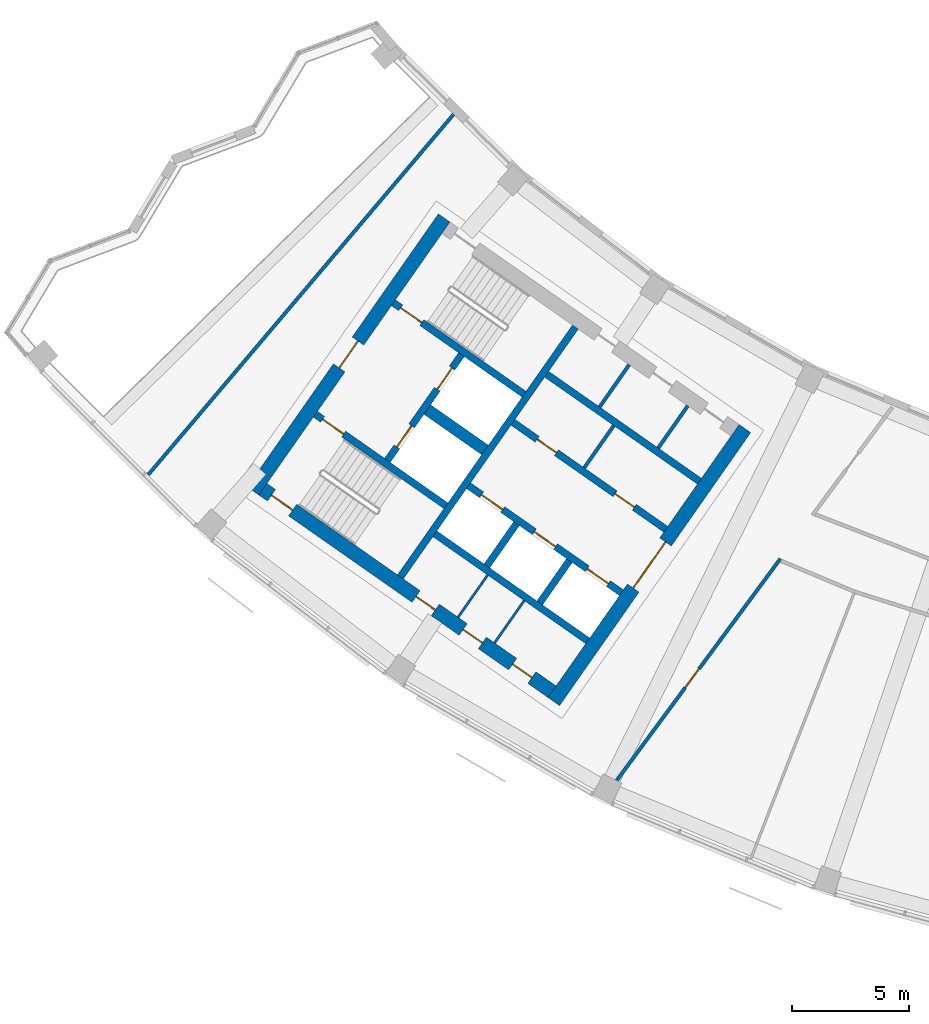
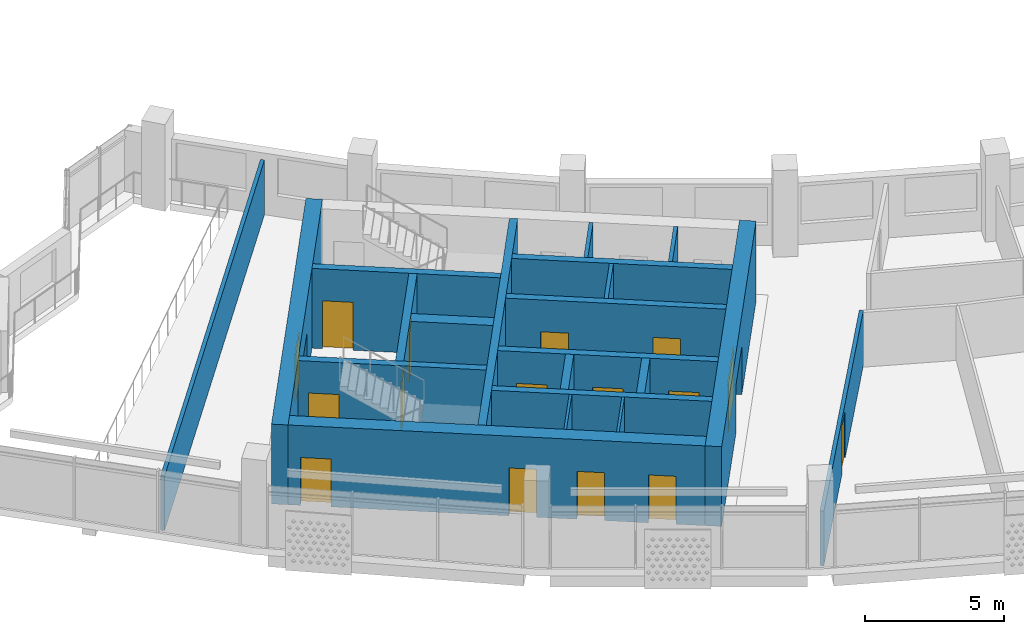
# One storey, part 3 of 29: 21 walls, 16 doors, 16 openings.
"""IFC4 building model written with IfcOpenShell, lengths in metres."""

from ifc_helpers import new_model, si_unit, direction, frame, frame_2d, origin, place, context, subcontext, project, spatial, rectangle, extrude, material, layer, layer_set, type_object, element, fill, save


model = new_model("IFC4")

# Units and contexts
model_context = context("Model", 3, precision=1e-05, world=origin(), true_north=direction((0.0, 1.0)))
body_context = subcontext(model_context, "Body", "Model", "MODEL_VIEW")
ifc_project = project(units=[si_unit("LENGTHUNIT", "METRE"), si_unit("AREAUNIT", "SQUARE_METRE"), si_unit("VOLUMEUNIT", "CUBIC_METRE"), si_unit("PLANEANGLEUNIT", "RADIAN"), si_unit("MASSUNIT", "GRAM", prefix="KILO")], contexts=[model_context])

# Site, building, storey
site_placement = place(None, origin())
site = spatial("IfcSite", under=ifc_project, at=site_placement, CompositionType="ELEMENT")
building_placement = place(site_placement, origin())
building = spatial("IfcBuilding", under=site, at=building_placement, Name="Qamariyya Broadcast Tower", CompositionType="ELEMENT")
storey_placement = place(building_placement, frame((0.0, 0.0, 261.89990234375)))
storey = spatial("IfcBuildingStorey", under=building, at=storey_placement, Name="L63", CompositionType="ELEMENT", Elevation=261.89990234375)

# Wall, opening, door
ifc_material_1 = material(Name="Concrete C60/75", Category="concrete")
ifc_layer_1 = layer(ifc_material_1, 0.60009765625)
ifc_layer_set_1 = layer_set([ifc_layer_1], Name="Core wall 600 mm Concrete C60/75")
wall_type_1 = type_object("IfcWallType", Name="Core wall 600 mm Concrete C60/75", PredefinedType="SHEAR", material=ifc_layer_set_1)
wall_1_placement = place(storey_placement, frame((-36.66748046875, -66.005126953125, 0.0), z_axis=(0.0, 0.0, 1.0), x_axis=(0.573568499524, 0.819157601658, 0.0)))
wall_1 = element("IfcWall", 1, at=wall_1_placement, inside=storey, type_object=wall_type_1, Name="k-W-L63-WA", PredefinedType="SHEAR", context=body_context, shape_type="SweptSolid", body=[
    extrude(rectangle(XDim=14.19970703125, YDim=0.60009765625, at=frame_2d((7.099853515625, 0.0))), origin(), (0.0, 0.0, 1.0), 3.5),
])
opening_1_placement = place(wall_1_placement, frame((5.89990234375, 0.0, 0.0)))
opening_1 = element("IfcOpeningElement", 2, at=opening_1_placement, cuts=wall_1, Name="Opening KD3-W1", PredefinedType="OPENING", context=body_context, shape_type="SweptSolid", body=[
    extrude(rectangle(XDim=2.39990234375, YDim=2.10009765625, at=frame_2d((1.199951171875, 1.050048828125))), frame((0.0, 0.31005859375, 0.0), z_axis=(0.0, -1.0, 0.0), x_axis=(1.0, 0.0, 0.0)), (0.0, 0.0, 1.0), 0.6201171875),
])
ifc_material_2 = material(Name="Steel fire-resisting door leaf", Category="steel")
door_type_1 = type_object("IfcDoorType", Name="Lift lobby door KD3", OperationType="DOUBLE_DOOR_SINGLE_SWING", PredefinedType="DOOR", material=ifc_material_2)
door_1_placement = place(opening_1_placement, origin())
door_1 = element("IfcDoor", 3, at=door_1_placement, inside=storey, type_object=door_type_1, Name="k-W-L63-WA-D1", OperationType="DOUBLE_DOOR_SINGLE_SWING", OverallHeight=2.10009765625, OverallWidth=2.39990234375, PredefinedType="DOOR", context=body_context, shape_type="SweptSolid", body=[
    extrude(rectangle(XDim=2.39990234375, YDim=2.10009765625, at=frame_2d((1.199951171875, 1.050048828125))), frame((0.0, 0.02490234375, 0.0), z_axis=(0.0, -1.0, 0.0), x_axis=(1.0, 0.0, 0.0)), (0.0, 0.0, 1.0), 0.050048828125),
])
fill(opening_1, door_1)

wall_2_placement = place(storey_placement, frame((-49.4833984375, -57.031494140625, 0.0), z_axis=(0.0, 0.0, 1.0), x_axis=(0.573560421458, 0.819163257805, 0.0)))
wall_2 = element("IfcWall", 4, at=wall_2_placement, inside=storey, type_object=wall_type_1, Name="k-W-L63-WH", PredefinedType="SHEAR", context=body_context, shape_type="SweptSolid", body=[
    extrude(rectangle(XDim=14.199951171875, YDim=0.60009765625, at=frame_2d((7.10009765625, 0.0))), origin(), (0.0, 0.0, 1.0), 3.5),
])
opening_2_placement = place(wall_2_placement, frame((6.39990234375, 0.0, 0.0)))
opening_2 = element("IfcOpeningElement", 5, at=opening_2_placement, cuts=wall_2, Name="Opening KD2-W1", PredefinedType="OPENING", context=body_context, shape_type="SweptSolid", body=[
    extrude(rectangle(XDim=1.39990234375, YDim=2.10009765625, at=frame_2d((0.699951171875, 1.050048828125))), frame((0.0, 0.31005859375, 0.0), z_axis=(0.0, -1.0, 0.0), x_axis=(1.0, 0.0, 0.0)), (0.0, 0.0, 1.0), 0.6201171875),
])
door_type_2 = type_object("IfcDoorType", Name="Fire-fighting lobby door KD2", OperationType="DOUBLE_DOOR_SINGLE_SWING", PredefinedType="DOOR", material=ifc_material_2)
door_2_placement = place(opening_2_placement, origin())
door_2 = element("IfcDoor", 6, at=door_2_placement, inside=storey, type_object=door_type_2, Name="k-W-L63-WH-D15", OperationType="DOUBLE_DOOR_SINGLE_SWING", OverallHeight=2.10009765625, OverallWidth=1.39990234375, PredefinedType="DOOR", context=body_context, shape_type="SweptSolid", body=[
    extrude(rectangle(XDim=1.39990234375, YDim=2.10009765625, at=frame_2d((0.699951171875, 1.050048828125))), frame((0.0, 0.02490234375, 0.0), z_axis=(0.0, -1.0, 0.0), x_axis=(1.0, 0.0, 0.0)), (0.0, 0.0, 1.0), 0.050048828125),
])
fill(opening_2, door_2)

# Wall, openings, doors
wall_3_placement = place(storey_placement, frame((-36.7412109375, -65.58740234375, 0.0), z_axis=(0.0, 0.0, 1.0), x_axis=(-0.819153391756, 0.573574511963, 0.0)))
wall_3 = element("IfcWall", 7, at=wall_3_placement, inside=storey, type_object=wall_type_1, Name="k-W-L63-WO", PredefinedType="SHEAR", context=body_context, shape_type="SweptSolid", body=[
    extrude(rectangle(XDim=15.04541015625, YDim=0.60009765625, at=frame_2d((7.522705078125, 0.0))), origin(), (0.0, 0.0, 1.0), 3.5),
])
opening_3_placement = place(wall_3_placement, frame((1.050048828125, 0.0, 0.0)))
opening_3 = element("IfcOpeningElement", 8, at=opening_3_placement, cuts=wall_3, Name="Opening KD4-W1", PredefinedType="OPENING", context=body_context, shape_type="SweptSolid", body=[
    extrude(rectangle(XDim=1.0, YDim=2.10009765625, at=frame_2d((0.5, 1.050048828125))), frame((0.0, 0.31005859375, 0.0), z_axis=(0.0, -1.0, 0.0), x_axis=(1.0, 0.0, 0.0)), (0.0, 0.0, 1.0), 0.6201171875),
])
opening_4_placement = place(wall_3_placement, frame((3.625, 0.0, 0.0)))
opening_4 = element("IfcOpeningElement", 9, at=opening_4_placement, cuts=wall_3, Name="Opening KD4-W2", PredefinedType="OPENING", context=body_context, shape_type="SweptSolid", body=[
    extrude(rectangle(XDim=1.0, YDim=2.10009765625, at=frame_2d((0.5, 1.050048828125))), frame((0.0, 0.31005859375, 0.0), z_axis=(0.0, -1.0, 0.0), x_axis=(1.0, 0.0, 0.0)), (0.0, 0.0, 1.0), 0.6201171875),
])
opening_5_placement = place(wall_3_placement, frame((6.074951171875, 0.0, 0.0)))
opening_5 = element("IfcOpeningElement", 10, at=opening_5_placement, cuts=wall_3, Name="Opening KD6-W4", PredefinedType="OPENING", context=body_context, shape_type="SweptSolid", body=[
    extrude(rectangle(XDim=1.0, YDim=2.10009765625, at=frame_2d((0.5, 1.050048828125))), frame((0.0, 0.31005859375, 0.0), z_axis=(0.0, -1.0, 0.0), x_axis=(1.0, 0.0, 0.0)), (0.0, 0.0, 1.0), 0.6201171875),
])
opening_6_placement = place(wall_3_placement, frame((13.495361328125, 0.0, 0.0)))
opening_6 = element("IfcOpeningElement", 11, at=opening_6_placement, cuts=wall_3, Name="Opening KD1-W3", PredefinedType="OPENING", context=body_context, shape_type="SweptSolid", body=[
    extrude(rectangle(XDim=1.10009765625, YDim=2.10009765625, at=frame_2d((0.550048828125, 1.050048828125))), frame((0.0, 0.31005859375, 0.0), z_axis=(0.0, -1.0, 0.0), x_axis=(1.0, 0.0, 0.0)), (0.0, 0.0, 1.0), 0.6201171875),
])
door_type_3 = type_object("IfcDoorType", Name="Core room door KD6", OperationType="SINGLE_SWING_LEFT", PredefinedType="DOOR", material=ifc_material_2)
door_3_placement = place(opening_5_placement, origin())
door_3 = element("IfcDoor", 12, at=door_3_placement, inside=storey, type_object=door_type_3, Name="k-W-L63-WO-D12", OperationType="SINGLE_SWING_LEFT", OverallHeight=2.10009765625, OverallWidth=1.0, PredefinedType="DOOR", context=body_context, shape_type="SweptSolid", body=[
    extrude(rectangle(XDim=1.0, YDim=2.10009765625, at=frame_2d((0.5, 1.050048828125))), frame((0.0, 0.02490234375, 0.0), z_axis=(0.0, -1.0, 0.0), x_axis=(1.0, 0.0, 0.0)), (0.0, 0.0, 1.0), 0.050048828125),
])
fill(opening_5, door_3)
door_type_4 = type_object("IfcDoorType", Name="Riser and plant door KD4", OperationType="SINGLE_SWING_LEFT", PredefinedType="DOOR", material=ifc_material_2)
door_4_placement = place(opening_3_placement, origin())
door_4 = element("IfcDoor", 13, at=door_4_placement, inside=storey, type_object=door_type_4, Name="k-W-L63-WO-D10", OperationType="SINGLE_SWING_LEFT", OverallHeight=2.10009765625, OverallWidth=1.0, PredefinedType="DOOR", context=body_context, shape_type="SweptSolid", body=[
    extrude(rectangle(XDim=1.0, YDim=2.10009765625, at=frame_2d((0.5, 1.050048828125))), frame((0.0, 0.02490234375, 0.0), z_axis=(0.0, -1.0, 0.0), x_axis=(1.0, 0.0, 0.0)), (0.0, 0.0, 1.0), 0.050048828125),
])
fill(opening_3, door_4)
door_5_placement = place(opening_4_placement, origin())
door_5 = element("IfcDoor", 14, at=door_5_placement, inside=storey, type_object=door_type_4, Name="k-W-L63-WO-D11", OperationType="SINGLE_SWING_RIGHT", OverallHeight=2.10009765625, OverallWidth=1.0, PredefinedType="DOOR", context=body_context, shape_type="SweptSolid", body=[
    extrude(rectangle(XDim=1.0, YDim=2.10009765625, at=frame_2d((0.5, 1.050048828125))), frame((0.0, 0.02490234375, 0.0), z_axis=(0.0, -1.0, 0.0), x_axis=(1.0, 0.0, 0.0)), (0.0, 0.0, 1.0), 0.050048828125),
])
fill(opening_4, door_5)
door_type_5 = type_object("IfcDoorType", Name="Stair door KD1", OperationType="SINGLE_SWING_LEFT", PredefinedType="DOOR", material=ifc_material_2)
door_6_placement = place(opening_6_placement, origin())
door_6 = element("IfcDoor", 15, at=door_6_placement, inside=storey, type_object=door_type_5, Name="k-W-L63-WO-D18", OperationType="SINGLE_SWING_LEFT", OverallHeight=2.10009765625, OverallWidth=1.10009765625, PredefinedType="DOOR", context=body_context, shape_type="SweptSolid", body=[
    extrude(rectangle(XDim=1.10009765625, YDim=2.10009765625, at=frame_2d((0.550048828125, 1.050048828125))), frame((0.0, 0.02490234375, 0.0), z_axis=(0.0, -1.0, 0.0), x_axis=(1.0, 0.0, 0.0)), (0.0, 0.0, 1.0), 0.050048828125),
])
fill(opening_6, door_6)

# Wall
ifc_material_3 = material(Name="Gypsum board partition")
ifc_layer_2 = layer(ifc_material_3, 0.14990234375)
ifc_layer_set_2 = layer_set([ifc_layer_2], Name="Corridor partition 150 EI 60")
wall_type_2 = type_object("IfcWallType", Name="Corridor partition 150 EI 60", PredefinedType="PARTITIONING", material=ifc_layer_set_2)
wall_4_placement = place(storey_placement, frame((-40.93603515625, -40.982666015625, 0.0), z_axis=(0.0, 0.0, 1.0), x_axis=(-0.646426079671, -0.76297662056, 0.0)))
element("IfcWall", 16, at=wall_4_placement, inside=storey, type_object=wall_type_2, Name="Partition L63-001", PredefinedType="PARTITIONING", context=body_context, shape_type="SweptSolid", body=[
    extrude(rectangle(XDim=20.1259765625, YDim=0.14990234375, at=frame_2d((10.06298828125, 0.0))), origin(), (0.0, 0.0, 1.0), 2.400146484375),
])

# Wall, opening, door
wall_5_placement = place(storey_placement, frame((-27.012939453125, -59.919189453125, 0.0), z_axis=(0.0, 0.0, 1.0), x_axis=(-0.593869528805, -0.804561360467, 0.0)))
wall_5 = element("IfcWall", 17, at=wall_5_placement, inside=storey, type_object=wall_type_2, Name="Partition L63-003", PredefinedType="PARTITIONING", context=body_context, shape_type="SweptSolid", body=[
    extrude(rectangle(XDim=12.665283203125, YDim=0.14990234375, at=frame_2d((6.33251953125, 0.0))), origin(), (0.0, 0.0, 1.0), 2.400146484375),
])
opening_7_placement = place(wall_5_placement, frame((5.832763671875, 0.0, 0.0)))
opening_7 = element("IfcOpeningElement", 18, at=opening_7_placement, cuts=wall_5, Name="Opening L63-D01", PredefinedType="OPENING", context=body_context, shape_type="SweptSolid", body=[
    extrude(rectangle(XDim=1.0, YDim=2.10009765625, at=frame_2d((0.5, 1.050048828125))), frame((0.0, 0.0849609375, 0.0), z_axis=(0.0, -1.0, 0.0), x_axis=(1.0, 0.0, 0.0)), (0.0, 0.0, 1.0), 0.169921875),
])
ifc_material_4 = material(Name="Timber fire door leaf", Category="wood")
door_type_6 = type_object("IfcDoorType", Name="Fire door 1000 x 2100 FD60", OperationType="NOTDEFINED", PredefinedType="DOOR", material=ifc_material_4)
door_7_placement = place(opening_7_placement, origin())
door_7 = element("IfcDoor", 19, at=door_7_placement, inside=storey, type_object=door_type_6, Name="Door L63-D01", OperationType="SINGLE_SWING_RIGHT", OverallHeight=2.10009765625, OverallWidth=1.0, PredefinedType="DOOR", context=body_context, shape_type="SweptSolid", body=[
    extrude(rectangle(XDim=1.0, YDim=2.10009765625, at=frame_2d((0.5, 1.050048828125))), frame((0.0, 0.02490234375, 0.0), z_axis=(0.0, -1.0, 0.0), x_axis=(1.0, 0.0, 0.0)), (0.0, 0.0, 1.0), 0.050048828125),
])
fill(opening_7, door_7)

# Walls
ifc_layer_3 = layer(ifc_material_1, 0.5)
ifc_layer_set_3 = layer_set([ifc_layer_3], Name="Fire-fighting lobby divider wall 500 mm Concrete C60/75")
wall_type_3 = type_object("IfcWallType", Name="Fire-fighting lobby divider wall 500 mm Concrete C60/75", PredefinedType="SOLIDWALL", material=ifc_layer_set_3)
wall_6_placement = place(storey_placement, frame((-39.59912109375, -55.28515625, 0.0), z_axis=(0.0, 0.0, 1.0), x_axis=(-0.819136323161, 0.573598887793, 0.0)))
element("IfcWall", 20, at=wall_6_placement, inside=storey, type_object=wall_type_3, Name="k-W-L63-FD", PredefinedType="SOLIDWALL", context=body_context, shape_type="SweptSolid", body=[
    extrude(rectangle(XDim=2.999755859375, YDim=0.5, at=frame_2d((1.5, 0.0))), origin(), (0.0, 0.0, 1.0), 3.5),
])
ifc_material_5 = material(Name="Gypsum board partition on steel studs", Category="steel")
ifc_layer_4 = layer(ifc_material_5, 0.14990234375)
ifc_layer_set_4 = layer_set([ifc_layer_4], Name="Gypsum board partition 150 mm")
wall_type_4 = type_object("IfcWallType", Name="Gypsum board partition 150 mm", PredefinedType="PARTITIONING", material=ifc_layer_set_4)
wall_7_placement = place(storey_placement, frame((-35.371826171875, -56.047607421875, 0.0), z_axis=(0.0, 0.0, 1.0), x_axis=(0.573559170999, 0.819164133348, 0.0)))
element("IfcWall", 21, at=wall_7_placement, inside=storey, type_object=wall_type_4, Name="k-W-L63-NC435", PredefinedType="PARTITIONING", context=body_context, shape_type="SweptSolid", body=[
    extrude(rectangle(XDim=2.19970703125, YDim=0.14990234375, at=frame_2d((1.099853515625, 0.0))), origin(), (0.0, 0.0, 1.0), 3.5),
])
wall_8_placement = place(storey_placement, frame((-32.2177734375, -55.204345703125, 0.0), z_axis=(0.0, 0.0, 1.0), x_axis=(0.573581496053, 0.819148501424, 0.0)))
element("IfcWall", 22, at=wall_8_placement, inside=storey, type_object=wall_type_4, Name="k-W-L63-NP225", PredefinedType="PARTITIONING", context=body_context, shape_type="SweptSolid", body=[
    extrude(rectangle(XDim=2.2001953125, YDim=0.14990234375, at=frame_2d((1.10009765625, 0.0))), origin(), (0.0, 0.0, 1.0), 3.5),
])
wall_9_placement = place(storey_placement, frame((-34.716064453125, -53.454833984375, 0.0), z_axis=(0.0, 0.0, 1.0), x_axis=(0.573507030513, 0.819200638399, 0.0)))
element("IfcWall", 23, at=wall_9_placement, inside=storey, type_object=wall_type_4, Name="k-W-L63-NP530", PredefinedType="PARTITIONING", context=body_context, shape_type="SweptSolid", body=[
    extrude(rectangle(XDim=2.199951171875, YDim=0.14990234375, at=frame_2d((1.10009765625, 0.0))), origin(), (0.0, 0.0, 1.0), 3.5),
])
ifc_layer_5 = layer(ifc_material_1, 0.300048828125)
ifc_layer_set_5 = layer_set([ifc_layer_5], Name="Lift shaft wall 300 mm Concrete C60/75")
wall_type_5 = type_object("IfcWallType", Name="Lift shaft wall 300 mm Concrete C60/75", PredefinedType="SOLIDWALL", material=ifc_layer_set_5)
wall_10_placement = place(storey_placement, frame((-43.204345703125, -60.69580078125, 0.0), z_axis=(0.0, 0.0, 1.0), x_axis=(0.573571992966, 0.819155155563, 0.0)))
element("IfcWall", 24, at=wall_10_placement, inside=storey, type_object=wall_type_5, Name="k-W-L63-WL", PredefinedType="SOLIDWALL", context=body_context, shape_type="SweptSolid", body=[
    extrude(rectangle(XDim=13.000244140625, YDim=0.300048828125, at=frame_2d((6.5, 0.0))), origin(), (0.0, 0.0, 1.0), 3.5),
])

# Wall, openings, doors
wall_11_placement = place(storey_placement, frame((-31.89453125, -58.66552734375, 0.0), z_axis=(0.0, 0.0, 1.0), x_axis=(-0.819166993208, 0.573555086491, 0.0)))
wall_11 = element("IfcWall", 25, at=wall_11_placement, inside=storey, type_object=wall_type_5, Name="k-W-L63-NF0", PredefinedType="SOLIDWALL", context=body_context, shape_type="SweptSolid", body=[
    extrude(rectangle(XDim=7.9501953125, YDim=0.300048828125, at=frame_2d((3.97509765625, 0.0))), origin(), (0.0, 0.0, 1.0), 3.5),
])
opening_8_placement = place(wall_11_placement, frame((1.637451171875, 0.0, 0.0)))
opening_8 = element("IfcOpeningElement", 26, at=opening_8_placement, cuts=wall_11, Name="Opening KD6-W1", PredefinedType="OPENING", context=body_context, shape_type="SweptSolid", body=[
    extrude(rectangle(XDim=1.0, YDim=2.10009765625, at=frame_2d((0.5, 1.050048828125))), frame((0.0, 0.159912109375, 0.0), z_axis=(0.0, -1.0, 0.0), x_axis=(1.0, 0.0, 0.0)), (0.0, 0.0, 1.0), 0.320068359375),
])
opening_9_placement = place(wall_11_placement, frame((5.6875, 0.0, 0.0)))
opening_9 = element("IfcOpeningElement", 27, at=opening_9_placement, cuts=wall_11, Name="Opening KD6-W2", PredefinedType="OPENING", context=body_context, shape_type="SweptSolid", body=[
    extrude(rectangle(XDim=1.0, YDim=2.10009765625, at=frame_2d((0.5, 1.050048828125))), frame((0.0, 0.159912109375, 0.0), z_axis=(0.0, -1.0, 0.0), x_axis=(1.0, 0.0, 0.0)), (0.0, 0.0, 1.0), 0.320068359375),
])
door_8_placement = place(opening_8_placement, origin())
door_8 = element("IfcDoor", 28, at=door_8_placement, inside=storey, type_object=door_type_3, Name="k-W-L63-NF0-D2", OperationType="SINGLE_SWING_LEFT", OverallHeight=2.10009765625, OverallWidth=1.0, PredefinedType="DOOR", context=body_context, shape_type="SweptSolid", body=[
    extrude(rectangle(XDim=1.0, YDim=2.10009765625, at=frame_2d((0.5, 1.050048828125))), frame((0.0, 0.02490234375, 0.0), z_axis=(0.0, -1.0, 0.0), x_axis=(1.0, 0.0, 0.0)), (0.0, 0.0, 1.0), 0.050048828125),
])
fill(opening_8, door_8)
door_9_placement = place(opening_9_placement, origin())
door_9 = element("IfcDoor", 29, at=door_9_placement, inside=storey, type_object=door_type_3, Name="k-W-L63-NF0-D3", OperationType="SINGLE_SWING_RIGHT", OverallHeight=2.10009765625, OverallWidth=1.0, PredefinedType="DOOR", context=body_context, shape_type="SweptSolid", body=[
    extrude(rectangle(XDim=1.0, YDim=2.10009765625, at=frame_2d((0.5, 1.050048828125))), frame((0.0, 0.02490234375, 0.0), z_axis=(0.0, -1.0, 0.0), x_axis=(1.0, 0.0, 0.0)), (0.0, 0.0, 1.0), 0.050048828125),
])
fill(opening_9, door_9)

# Wall
wall_12_placement = place(storey_placement, frame((-30.460693359375, -56.61767578125, 0.0), z_axis=(0.0, 0.0, 1.0), x_axis=(-0.819142461705, 0.573590121456, 0.0)))
element("IfcWall", 30, at=wall_12_placement, inside=storey, type_object=wall_type_5, Name="k-W-L63-NB0", PredefinedType="SOLIDWALL", context=body_context, shape_type="SweptSolid", body=[
    extrude(rectangle(XDim=7.949951171875, YDim=0.300048828125, at=frame_2d((3.97509765625, 0.0))), origin(), (0.0, 0.0, 1.0), 3.5),
])

# Wall, openings, doors
wall_13_placement = place(storey_placement, frame((-33.787353515625, -61.368896484375, 0.0), z_axis=(0.0, 0.0, 1.0), x_axis=(-0.819152564888, 0.573575692858, 0.0)))
wall_13 = element("IfcWall", 31, at=wall_13_placement, inside=storey, type_object=wall_type_5, Name="k-W-L63-SF0", PredefinedType="SOLIDWALL", context=body_context, shape_type="SweptSolid", body=[
    extrude(rectangle(XDim=7.9501953125, YDim=0.300048828125, at=frame_2d((3.97509765625, 0.0))), origin(), (0.0, 0.0, 1.0), 3.5),
])
opening_10_placement = place(wall_13_placement, frame((0.675048828125, 0.0, 0.0)))
opening_10 = element("IfcOpeningElement", 32, at=opening_10_placement, cuts=wall_13, Name="Opening LD", PredefinedType="OPENING", context=body_context, shape_type="SweptSolid", body=[
    extrude(rectangle(XDim=1.10009765625, YDim=2.10009765625, at=frame_2d((0.550048828125, 1.050048828125))), frame((0.0, 0.159912109375, 0.0), z_axis=(0.0, -1.0, 0.0), x_axis=(1.0, 0.0, 0.0)), (0.0, 0.0, 1.0), 0.320068359375),
])
opening_11_placement = place(wall_13_placement, frame((3.425048828125, 0.0, 0.0)))
opening_11 = element("IfcOpeningElement", 33, at=opening_11_placement, cuts=wall_13, Name="Opening LD", PredefinedType="OPENING", context=body_context, shape_type="SweptSolid", body=[
    extrude(rectangle(XDim=1.10009765625, YDim=2.10009765625, at=frame_2d((0.550048828125, 1.050048828125))), frame((0.0, 0.159912109375, 0.0), z_axis=(0.0, -1.0, 0.0), x_axis=(1.0, 0.0, 0.0)), (0.0, 0.0, 1.0), 0.320068359375),
])
opening_12_placement = place(wall_13_placement, frame((6.175048828125, 0.0, 0.0)))
opening_12 = element("IfcOpeningElement", 34, at=opening_12_placement, cuts=wall_13, Name="Opening LD", PredefinedType="OPENING", context=body_context, shape_type="SweptSolid", body=[
    extrude(rectangle(XDim=1.10009765625, YDim=2.10009765625, at=frame_2d((0.550048828125, 1.050048828125))), frame((0.0, 0.159912109375, 0.0), z_axis=(0.0, -1.0, 0.0), x_axis=(1.0, 0.0, 0.0)), (0.0, 0.0, 1.0), 0.320068359375),
])
door_type_7 = type_object("IfcDoorType", Name="Lift landing door LD", OperationType="DOUBLE_DOOR_SLIDING", PredefinedType="DOOR", material=ifc_material_2)
door_10_placement = place(opening_10_placement, origin())
door_10 = element("IfcDoor", 35, at=door_10_placement, inside=storey, type_object=door_type_7, Name="k-W-L63-SF0-D4", OperationType="DOUBLE_DOOR_SLIDING", OverallHeight=2.10009765625, OverallWidth=1.10009765625, PredefinedType="DOOR", context=body_context, shape_type="SweptSolid", body=[
    extrude(rectangle(XDim=1.10009765625, YDim=2.10009765625, at=frame_2d((0.550048828125, 1.050048828125))), frame((0.0, 0.02490234375, 0.0), z_axis=(0.0, -1.0, 0.0), x_axis=(1.0, 0.0, 0.0)), (0.0, 0.0, 1.0), 0.050048828125),
])
fill(opening_10, door_10)
door_11_placement = place(opening_11_placement, origin())
door_11 = element("IfcDoor", 36, at=door_11_placement, inside=storey, type_object=door_type_7, Name="k-W-L63-SF0-D5", OperationType="DOUBLE_DOOR_SLIDING", OverallHeight=2.10009765625, OverallWidth=1.10009765625, PredefinedType="DOOR", context=body_context, shape_type="SweptSolid", body=[
    extrude(rectangle(XDim=1.10009765625, YDim=2.10009765625, at=frame_2d((0.550048828125, 1.050048828125))), frame((0.0, 0.02490234375, 0.0), z_axis=(0.0, -1.0, 0.0), x_axis=(1.0, 0.0, 0.0)), (0.0, 0.0, 1.0), 0.050048828125),
])
fill(opening_11, door_11)
door_12_placement = place(opening_12_placement, origin())
door_12 = element("IfcDoor", 37, at=door_12_placement, inside=storey, type_object=door_type_7, Name="k-W-L63-SF0-D6", OperationType="DOUBLE_DOOR_SLIDING", OverallHeight=2.10009765625, OverallWidth=1.10009765625, PredefinedType="DOOR", context=body_context, shape_type="SweptSolid", body=[
    extrude(rectangle(XDim=1.10009765625, YDim=2.10009765625, at=frame_2d((0.550048828125, 1.050048828125))), frame((0.0, 0.02490234375, 0.0), z_axis=(0.0, -1.0, 0.0), x_axis=(1.0, 0.0, 0.0)), (0.0, 0.0, 1.0), 0.050048828125),
])
fill(opening_12, door_12)

# Walls
wall_14_placement = place(storey_placement, frame((-35.22119140625, -63.41650390625, 0.0), z_axis=(0.0, 0.0, 1.0), x_axis=(-0.819166993208, 0.573555086491, 0.0)))
element("IfcWall", 38, at=wall_14_placement, inside=storey, type_object=wall_type_5, Name="k-W-L63-SB0", PredefinedType="SOLIDWALL", context=body_context, shape_type="SweptSolid", body=[
    extrude(rectangle(XDim=7.9501953125, YDim=0.300048828125, at=frame_2d((3.97509765625, 0.0))), origin(), (0.0, 0.0, 1.0), 3.5),
])
wall_15_placement = place(storey_placement, frame((-36.003173828125, -60.000244140625, 0.0), z_axis=(0.0, 0.0, 1.0), x_axis=(-0.573581496053, -0.819148501424, 0.0)))
element("IfcWall", 39, at=wall_15_placement, inside=storey, type_object=wall_type_5, Name="k-W-L63-SD0", PredefinedType="SOLIDWALL", context=body_context, shape_type="SweptSolid", body=[
    extrude(rectangle(XDim=2.2001953125, YDim=0.300048828125, at=frame_2d((1.10009765625, 0.0))), origin(), (0.0, 0.0, 1.0), 3.5),
])
wall_16_placement = place(storey_placement, frame((-38.255859375, -58.423095703125, 0.0), z_axis=(0.0, 0.0, 1.0), x_axis=(-0.573633636671, -0.819111989218, 0.0)))
element("IfcWall", 40, at=wall_16_placement, inside=storey, type_object=wall_type_5, Name="k-W-L63-SD1", PredefinedType="SOLIDWALL", context=body_context, shape_type="SweptSolid", body=[
    extrude(rectangle(XDim=2.199951171875, YDim=0.300048828125, at=frame_2d((1.10009765625, 0.0))), origin(), (0.0, 0.0, 1.0), 3.5),
])

# Wall, opening, door
wall_17_placement = place(storey_placement, frame((-37.935546875, -52.90966796875, 0.0), z_axis=(0.0, 0.0, 1.0), x_axis=(-0.819147518138, 0.57358290031, 0.0)))
wall_17 = element("IfcWall", 41, at=wall_17_placement, inside=storey, type_object=wall_type_5, Name="k-W-L63-NW", PredefinedType="SOLIDWALL", context=body_context, shape_type="SweptSolid", body=[
    extrude(rectangle(XDim=6.79541015625, YDim=0.300048828125, at=frame_2d((3.397705078125, 0.0))), origin(), (0.0, 0.0, 1.0), 3.5),
])
opening_13_placement = place(wall_17_placement, frame((5.3203125, 0.0, 0.0)))
opening_13 = element("IfcOpeningElement", 42, at=opening_13_placement, cuts=wall_17, Name="Opening KD1-W2", PredefinedType="OPENING", context=body_context, shape_type="SweptSolid", body=[
    extrude(rectangle(XDim=1.10009765625, YDim=2.10009765625, at=frame_2d((0.550048828125, 1.050048828125))), frame((0.0, 0.159912109375, 0.0), z_axis=(0.0, -1.0, 0.0), x_axis=(1.0, 0.0, 0.0)), (0.0, 0.0, 1.0), 0.320068359375),
])
door_13_placement = place(opening_13_placement, origin())
door_13 = element("IfcDoor", 43, at=door_13_placement, inside=storey, type_object=door_type_5, Name="k-W-L63-NW-D17", OperationType="SINGLE_SWING_RIGHT", OverallHeight=2.10009765625, OverallWidth=1.10009765625, PredefinedType="DOOR", context=body_context, shape_type="SweptSolid", body=[
    extrude(rectangle(XDim=1.10009765625, YDim=2.10009765625, at=frame_2d((0.550048828125, 1.050048828125))), frame((0.0, 0.02490234375, 0.0), z_axis=(0.0, -1.0, 0.0), x_axis=(1.0, 0.0, 0.0)), (0.0, 0.0, 1.0), 0.050048828125),
])
fill(opening_13, door_13)

wall_18_placement = place(storey_placement, frame((-41.262451171875, -57.66064453125, 0.0), z_axis=(0.0, 0.0, 1.0), x_axis=(-0.819164398642, 0.573558792102, 0.0)))
wall_18 = element("IfcWall", 44, at=wall_18_placement, inside=storey, type_object=wall_type_5, Name="k-W-L63-SW", PredefinedType="SOLIDWALL", context=body_context, shape_type="SweptSolid", body=[
    extrude(rectangle(XDim=6.795166015625, YDim=0.300048828125, at=frame_2d((3.3974609375, 0.0))), origin(), (0.0, 0.0, 1.0), 3.5),
])
opening_14_placement = place(wall_18_placement, frame((5.3203125, 0.0, 0.0)))
opening_14 = element("IfcOpeningElement", 45, at=opening_14_placement, cuts=wall_18, Name="Opening KD1-W4", PredefinedType="OPENING", context=body_context, shape_type="SweptSolid", body=[
    extrude(rectangle(XDim=1.10009765625, YDim=2.10009765625, at=frame_2d((0.550048828125, 1.050048828125))), frame((0.0, 0.159912109375, 0.0), z_axis=(0.0, -1.0, 0.0), x_axis=(1.0, 0.0, 0.0)), (0.0, 0.0, 1.0), 0.320068359375),
])
door_14_placement = place(opening_14_placement, origin())
door_14 = element("IfcDoor", 46, at=door_14_placement, inside=storey, type_object=door_type_5, Name="k-W-L63-SW-D19", OperationType="SINGLE_SWING_RIGHT", OverallHeight=2.10009765625, OverallWidth=1.10009765625, PredefinedType="DOOR", context=body_context, shape_type="SweptSolid", body=[
    extrude(rectangle(XDim=1.10009765625, YDim=2.10009765625, at=frame_2d((0.550048828125, 1.050048828125))), frame((0.0, 0.02490234375, 0.0), z_axis=(0.0, -1.0, 0.0), x_axis=(1.0, 0.0, 0.0)), (0.0, 0.0, 1.0), 0.050048828125),
])
fill(opening_14, door_14)

# Wall, openings, doors
wall_19_placement = place(storey_placement, frame((-43.756591796875, -55.731201171875, 0.0), z_axis=(0.0, 0.0, 1.0), x_axis=(0.573536818435, 0.819179783625, 0.0)))
wall_19 = element("IfcWall", 47, at=wall_19_placement, inside=storey, type_object=wall_type_5, Name="k-W-L63-FF", PredefinedType="SOLIDWALL", context=body_context, shape_type="SweptSolid", body=[
    extrude(rectangle(XDim=5.500244140625, YDim=0.300048828125, at=frame_2d((2.75, 0.0))), origin(), (0.0, 0.0, 1.0), 3.5),
])
opening_15_placement = place(wall_19_placement, frame((0.699951171875, 0.0, 0.0)))
opening_15 = element("IfcOpeningElement", 48, at=opening_15_placement, cuts=wall_19, Name="Opening LD", PredefinedType="OPENING", context=body_context, shape_type="SweptSolid", body=[
    extrude(rectangle(XDim=1.10009765625, YDim=2.10009765625, at=frame_2d((0.550048828125, 1.050048828125))), frame((0.0, 0.159912109375, 0.0), z_axis=(0.0, -1.0, 0.0), x_axis=(1.0, 0.0, 0.0)), (0.0, 0.0, 1.0), 0.320068359375),
])
opening_16_placement = place(wall_19_placement, frame((3.699951171875, 0.0, 0.0)))
opening_16 = element("IfcOpeningElement", 49, at=opening_16_placement, cuts=wall_19, Name="Opening LD", PredefinedType="OPENING", context=body_context, shape_type="SweptSolid", body=[
    extrude(rectangle(XDim=1.10009765625, YDim=2.10009765625, at=frame_2d((0.550048828125, 1.050048828125))), frame((0.0, 0.159912109375, 0.0), z_axis=(0.0, -1.0, 0.0), x_axis=(1.0, 0.0, 0.0)), (0.0, 0.0, 1.0), 0.320068359375),
])
door_15_placement = place(opening_15_placement, origin())
door_15 = element("IfcDoor", 50, at=door_15_placement, inside=storey, type_object=door_type_7, Name="k-W-L63-FF-D13", OperationType="DOUBLE_DOOR_SLIDING", OverallHeight=2.10009765625, OverallWidth=1.10009765625, PredefinedType="DOOR", context=body_context, shape_type="SweptSolid", body=[
    extrude(rectangle(XDim=1.10009765625, YDim=2.10009765625, at=frame_2d((0.550048828125, 1.050048828125))), frame((0.0, 0.02490234375, 0.0), z_axis=(0.0, -1.0, 0.0), x_axis=(1.0, 0.0, 0.0)), (0.0, 0.0, 1.0), 0.050048828125),
])
fill(opening_15, door_15)
door_16_placement = place(opening_16_placement, origin())
door_16 = element("IfcDoor", 51, at=door_16_placement, inside=storey, type_object=door_type_7, Name="k-W-L63-FF-D14", OperationType="DOUBLE_DOOR_SLIDING", OverallHeight=2.10009765625, OverallWidth=1.10009765625, PredefinedType="DOOR", context=body_context, shape_type="SweptSolid", body=[
    extrude(rectangle(XDim=1.10009765625, YDim=2.10009765625, at=frame_2d((0.550048828125, 1.050048828125))), frame((0.0, 0.02490234375, 0.0), z_axis=(0.0, -1.0, 0.0), x_axis=(1.0, 0.0, 0.0)), (0.0, 0.0, 1.0), 0.050048828125),
])
fill(opening_16, door_16)

# Walls
ifc_material_6 = material(Name="Fire-rated gypsum shaft liner on steel studs", Category="steel")
ifc_layer_6 = layer(ifc_material_6, 0.10009765625)
ifc_layer_set_6 = layer_set([ifc_layer_6], Name="Riser wall 100 mm")
wall_type_6 = type_object("IfcWallType", Name="Riser wall 100 mm", PredefinedType="PLUMBINGWALL", material=ifc_layer_set_6)
wall_20_placement = place(storey_placement, frame((-37.9287109375, -61.7041015625, 0.0), z_axis=(0.0, 0.0, 1.0), x_axis=(-0.573559170999, -0.819164133348, 0.0)))
element("IfcWall", 52, at=wall_20_placement, inside=storey, type_object=wall_type_6, Name="k-W-L63-SP320", PredefinedType="PLUMBINGWALL", context=body_context, shape_type="SweptSolid", body=[
    extrude(rectangle(XDim=2.19970703125, YDim=0.10009765625, at=frame_2d((1.099853515625, 0.0))), origin(), (0.0, 0.0, 1.0), 3.5),
])
wall_21_placement = place(storey_placement, frame((-39.485107421875, -60.6142578125, 0.0), z_axis=(0.0, 0.0, 1.0), x_axis=(-0.573507030513, -0.819200638399, 0.0)))
element("IfcWall", 53, at=wall_21_placement, inside=storey, type_object=wall_type_6, Name="k-W-L63-SP510", PredefinedType="PLUMBINGWALL", context=body_context, shape_type="SweptSolid", body=[
    extrude(rectangle(XDim=2.199951171875, YDim=0.10009765625, at=frame_2d((1.10009765625, 0.0))), origin(), (0.0, 0.0, 1.0), 3.5),
])

save(model, "model.ifc")
